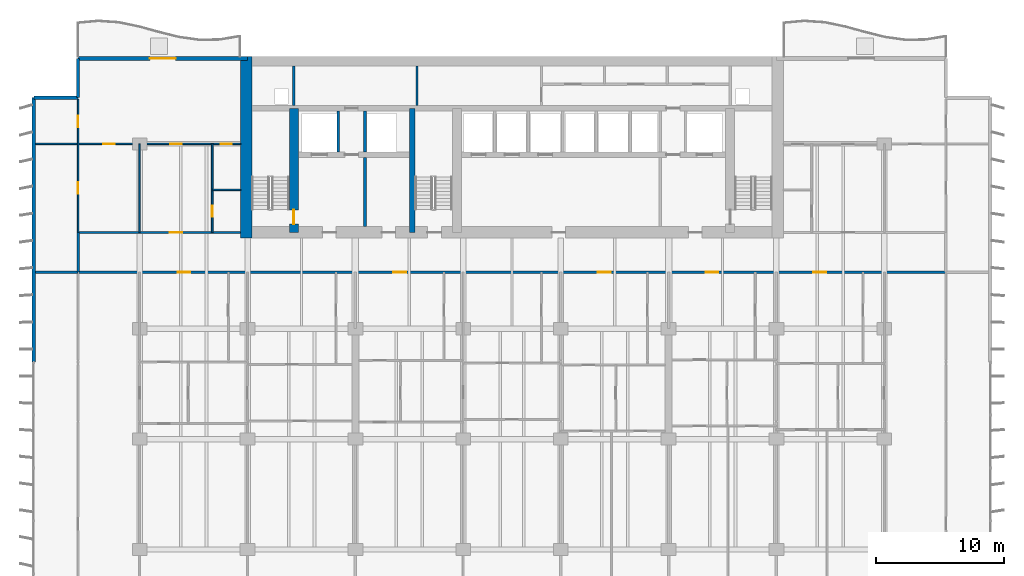
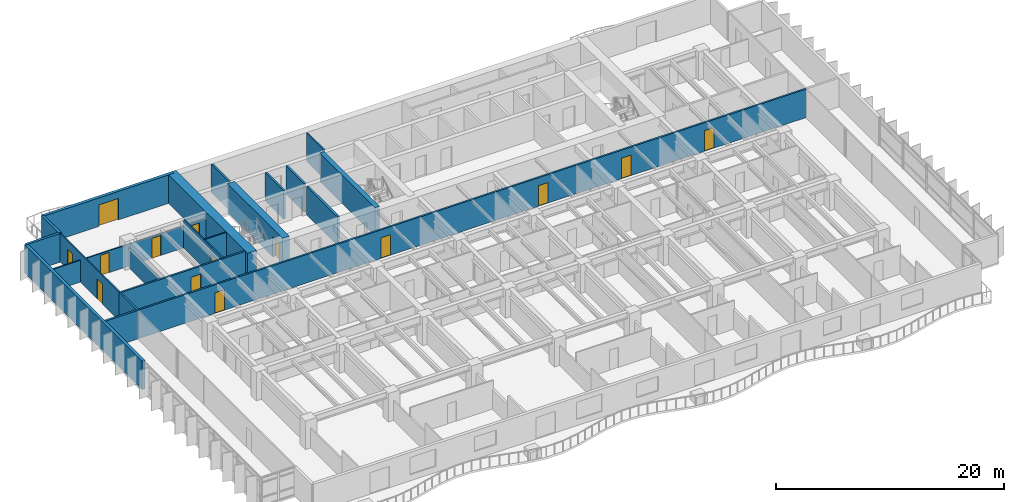
# One storey, part 10 of 17: 21 walls, 14 doors, 14 openings.
"""IFC4 building model written with IfcOpenShell, lengths in metres."""

from ifc_helpers import new_model, si_unit, direction, frame, frame_2d, origin, place, context, subcontext, project, spatial, rectangle, extrude, material, layer, layer_set, type_object, element, fill, save


model = new_model("IFC4")

# Units and contexts
model_context = context("Model", 3, precision=1e-05, world=origin(), true_north=direction((0.0, 1.0)))
body_context = subcontext(model_context, "Body", "Model", "MODEL_VIEW")
ifc_project = project(units=[si_unit("LENGTHUNIT", "METRE"), si_unit("AREAUNIT", "SQUARE_METRE"), si_unit("VOLUMEUNIT", "CUBIC_METRE"), si_unit("PLANEANGLEUNIT", "RADIAN"), si_unit("MASSUNIT", "GRAM", prefix="KILO")], contexts=[model_context])

# Site, building, storey
site_placement = place(None, origin())
site = spatial("IfcSite", under=ifc_project, at=site_placement, CompositionType="ELEMENT")
building_placement = place(site_placement, origin())
building = spatial("IfcBuilding", under=site, at=building_placement, Name="Caelmar Bay Residences", CompositionType="ELEMENT")
storey_placement = place(building_placement, frame((0.0, 0.0, 59.699951171875)))
storey = spatial("IfcBuildingStorey", under=building, at=storey_placement, Name="L15", CompositionType="ELEMENT", Elevation=59.699951171875)

# Wall, opening, door
ifc_material_1 = material(Name="Concrete f'c 55 MPa (8,000 psi)", Category="concrete")
ifc_layer_1 = layer(ifc_material_1, 0.699951171875)
ifc_layer_set_1 = layer_set([ifc_layer_1], Name="Concrete f'c 55 MPa (8,000 psi)")
wall_type_1 = type_object("IfcWallType", Name="SW-COR-700", PredefinedType="SHEAR", material=ifc_layer_set_1)
wall_1_placement = place(storey_placement, frame((21.89990234375, 36.89990234375, 0.0), z_axis=(0.0, 0.0, 1.0), x_axis=(0.0, 1.0, 0.0)))
wall_1 = element("IfcWall", 1, at=wall_1_placement, inside=storey, type_object=wall_type_1, Name="L15 Core Structural Web Wall ST1E", PredefinedType="SHEAR", context=body_context, shape_type="SweptSolid", body=[
    extrude(rectangle(XDim=9.675048828125, YDim=0.699951171875, at=frame_2d((4.83740234375, 0.0))), origin(), (0.0, 0.0, 1.0), 3.050048828125),
])
opening_1_placement = place(wall_1_placement, frame((0.64990234375, 0.0, 0.0)))
opening_1 = element("IfcOpeningElement", 2, at=opening_1_placement, cuts=wall_1, Name="Opening D-L15-108", PredefinedType="OPENING", context=body_context, shape_type="SweptSolid", body=[
    extrude(rectangle(XDim=1.10009765625, YDim=2.14990234375, at=frame_2d((0.550048828125, 1.074951171875))), frame((0.0, 0.35986328125, 0.0), z_axis=(0.0, -1.0, 0.0), x_axis=(1.0, 0.0, 0.0)), (0.0, 0.0, 1.0), 0.719970703125),
])
ifc_material_2 = material(Name="Fire-rated steel and walnut architectural door assembly", Category="steel")
ifc_layer_2 = layer(ifc_material_2, 0.050048828125)
ifc_layer_set_2 = layer_set([ifc_layer_2], Name="Fire-rated steel and walnut architectural door assembly")
door_type_1 = type_object("IfcDoorType", Name="D-STAIR-1100", OperationType="NOTDEFINED", PredefinedType="DOOR", material=ifc_layer_set_2)
door_1_placement = place(opening_1_placement, origin())
door_1 = element("IfcDoor", 3, at=door_1_placement, inside=storey, type_object=door_type_1, Name="L15 Firefighting Lobby West Door", OperationType="SINGLE_SWING_LEFT", OverallHeight=2.14990234375, OverallWidth=1.10009765625, PredefinedType="DOOR", context=body_context, shape_type="SweptSolid", body=[
    extrude(rectangle(XDim=1.10009765625, YDim=2.14990234375, at=frame_2d((0.550048828125, 1.074951171875))), frame((0.0, 0.02490234375, 0.0), z_axis=(0.0, -1.0, 0.0), x_axis=(1.0, 0.0, 0.0)), (0.0, 0.0, 1.0), 0.050048828125),
])
fill(opening_1, door_1)

# Walls
ifc_material_3 = material(Name="Concrete f'c 70 MPa (10,000 psi)", Category="concrete")
ifc_layer_3 = layer(ifc_material_3, 0.89990234375)
ifc_layer_set_3 = layer_set([ifc_layer_3], Name="Concrete f'c 70 MPa (10,000 psi)")
wall_type_2 = type_object("IfcWallType", Name="SW-COR-900", PredefinedType="SHEAR", material=ifc_layer_set_3)
wall_2_placement = place(storey_placement, frame((18.199951171875, 36.449951171875, 0.0), z_axis=(0.0, 0.0, 1.0), x_axis=(0.0, 1.0, 0.0)))
element("IfcWall", 4, at=wall_2_placement, inside=storey, type_object=wall_type_2, Name="L15 Rear Core West Shear Wall", PredefinedType="SHEAR", context=body_context, shape_type="SweptSolid", body=[
    extrude(rectangle(XDim=14.150146484375, YDim=0.89990234375, at=frame_2d((7.0751953125, 0.0))), origin(), (0.0, 0.0, 1.0), 3.050048828125),
])
ifc_layer_4 = layer(ifc_material_3, 0.449951171875)
ifc_layer_set_4 = layer_set([ifc_layer_4], Name="Concrete f'c 70 MPa (10,000 psi)")
wall_type_3 = type_object("IfcWallType", Name="SW-WEB-450", PredefinedType="SHEAR", material=ifc_layer_set_4)
wall_3_placement = place(storey_placement, frame((31.125, 36.89990234375, 0.0), z_axis=(0.0, 0.0, 1.0), x_axis=(0.0, 1.0, 0.0)))
element("IfcWall", 5, at=wall_3_placement, inside=storey, type_object=wall_type_3, Name="L15 Core Structural Web Wall ST3W", PredefinedType="SHEAR", context=body_context, shape_type="SweptSolid", body=[
    extrude(rectangle(XDim=9.675048828125, YDim=0.449951171875, at=frame_2d((4.83740234375, 0.0))), origin(), (0.0, 0.0, 1.0), 3.050048828125),
])
ifc_material_4 = material(Name="Double-stud acoustic fire-rated gypsum partition 180 mm")
ifc_layer_5 = layer(ifc_material_4, 0.179931640625)
ifc_layer_set_5 = layer_set([ifc_layer_5], Name="Double-stud acoustic fire-rated gypsum partition 180 mm")
wall_type_4 = type_object("IfcWallType", Name="W-COR-200", PredefinedType="PARTITIONING", material=ifc_layer_set_5)
wall_4_placement = place(storey_placement, frame((5.10009765625, 33.804931640625, 0.0), z_axis=(0.0, 0.0, 1.0), x_axis=(0.0, 1.0, 0.0)))
element("IfcWall", 6, at=wall_4_placement, inside=storey, type_object=wall_type_4, Name="L15 Partition Wall V005", PredefinedType="PARTITIONING", context=body_context, shape_type="SweptSolid", body=[
    extrude(rectangle(XDim=3.094970703125, YDim=0.179931640625, at=frame_2d((1.54736328125, 0.0))), origin(), (0.0, 0.0, 1.0), 3.050048828125),
])

# Wall, openings, doors
wall_5_placement = place(storey_placement, frame((5.10498046875, 33.800048828125, 0.0), z_axis=(0.0, 0.0, 1.0), x_axis=(1.0, 0.0, 0.0)))
wall_5 = element("IfcWall", 7, at=wall_5_placement, inside=storey, type_object=wall_type_4, Name="L15 Partition Wall H120", PredefinedType="PARTITIONING", context=body_context, shape_type="SweptSolid", body=[
    extrude(rectangle(XDim=67.594970703125, YDim=0.179931640625, at=frame_2d((33.79736328125, 0.0))), origin(), (0.0, 0.0, 1.0), 3.050048828125),
])
opening_2_placement = place(wall_5_placement, frame((7.7451171875, 0.0, 0.0)))
opening_2 = element("IfcOpeningElement", 8, at=opening_2_placement, cuts=wall_5, Name="Opening D-L15-121", PredefinedType="OPENING", context=body_context, shape_type="SweptSolid", body=[
    extrude(rectangle(XDim=1.0, YDim=2.199951171875, at=frame_2d((0.5, 1.10009765625))), frame((0.0, 0.099853515625, 0.0), z_axis=(0.0, -1.0, 0.0), x_axis=(1.0, 0.0, 0.0)), (0.0, 0.0, 1.0), 0.199951171875),
])
opening_3_placement = place(wall_5_placement, frame((24.544921875, 0.0, 0.0)))
opening_3 = element("IfcOpeningElement", 9, at=opening_3_placement, cuts=wall_5, Name="Opening D-L15-132", PredefinedType="OPENING", context=body_context, shape_type="SweptSolid", body=[
    extrude(rectangle(XDim=1.0, YDim=2.199951171875, at=frame_2d((0.5, 1.10009765625))), frame((0.0, 0.099853515625, 0.0), z_axis=(0.0, -1.0, 0.0), x_axis=(1.0, 0.0, 0.0)), (0.0, 0.0, 1.0), 0.199951171875),
])
opening_4_placement = place(wall_5_placement, frame((40.469970703125, 0.0, 0.0)))
opening_4 = element("IfcOpeningElement", 10, at=opening_4_placement, cuts=wall_5, Name="Opening D-L15-142", PredefinedType="OPENING", context=body_context, shape_type="SweptSolid", body=[
    extrude(rectangle(XDim=1.0, YDim=2.199951171875, at=frame_2d((0.5, 1.10009765625))), frame((0.0, 0.099853515625, 0.0), z_axis=(0.0, -1.0, 0.0), x_axis=(1.0, 0.0, 0.0)), (0.0, 0.0, 1.0), 0.199951171875),
])
opening_5_placement = place(wall_5_placement, frame((48.8701171875, 0.0, 0.0)))
opening_5 = element("IfcOpeningElement", 11, at=opening_5_placement, cuts=wall_5, Name="Opening D-L15-149", PredefinedType="OPENING", context=body_context, shape_type="SweptSolid", body=[
    extrude(rectangle(XDim=1.0, YDim=2.199951171875, at=frame_2d((0.5, 1.10009765625))), frame((0.0, 0.099853515625, 0.0), z_axis=(0.0, -1.0, 0.0), x_axis=(1.0, 0.0, 0.0)), (0.0, 0.0, 1.0), 0.199951171875),
])
opening_6_placement = place(wall_5_placement, frame((57.27001953125, 0.0, 0.0)))
opening_6 = element("IfcOpeningElement", 12, at=opening_6_placement, cuts=wall_5, Name="Opening D-L15-156", PredefinedType="OPENING", context=body_context, shape_type="SweptSolid", body=[
    extrude(rectangle(XDim=1.0, YDim=2.199951171875, at=frame_2d((0.5, 1.10009765625))), frame((0.0, 0.099853515625, 0.0), z_axis=(0.0, -1.0, 0.0), x_axis=(1.0, 0.0, 0.0)), (0.0, 0.0, 1.0), 0.199951171875),
])
ifc_layer_6 = layer(ifc_material_2, 0.050048828125)
ifc_layer_set_6 = layer_set([ifc_layer_6], Name="Fire-rated steel and walnut architectural door assembly")
door_type_2 = type_object("IfcDoorType", Name="D-UNIT-1000", OperationType="NOTDEFINED", PredefinedType="DOOR", material=ifc_layer_set_6)
door_2_placement = place(opening_2_placement, origin())
door_2 = element("IfcDoor", 13, at=door_2_placement, inside=storey, type_object=door_type_2, Name="L15 Residence 01 Apartment Hall Door", OperationType="SINGLE_SWING_RIGHT", OverallHeight=2.199951171875, OverallWidth=1.0, PredefinedType="DOOR", context=body_context, shape_type="SweptSolid", body=[
    extrude(rectangle(XDim=1.0, YDim=2.199951171875, at=frame_2d((0.5, 1.10009765625))), frame((0.0, 0.02490234375, 0.0), z_axis=(0.0, -1.0, 0.0), x_axis=(1.0, 0.0, 0.0)), (0.0, 0.0, 1.0), 0.050048828125),
])
fill(opening_2, door_2)
door_3_placement = place(opening_3_placement, origin())
door_3 = element("IfcDoor", 14, at=door_3_placement, inside=storey, type_object=door_type_2, Name="L15 Residence 02 Apartment Hall Door", OperationType="SINGLE_SWING_LEFT", OverallHeight=2.199951171875, OverallWidth=1.0, PredefinedType="DOOR", context=body_context, shape_type="SweptSolid", body=[
    extrude(rectangle(XDim=1.0, YDim=2.199951171875, at=frame_2d((0.5, 1.10009765625))), frame((0.0, 0.02490234375, 0.0), z_axis=(0.0, -1.0, 0.0), x_axis=(1.0, 0.0, 0.0)), (0.0, 0.0, 1.0), 0.050048828125),
])
fill(opening_3, door_3)
door_4_placement = place(opening_4_placement, origin())
door_4 = element("IfcDoor", 15, at=door_4_placement, inside=storey, type_object=door_type_2, Name="L15 Residence 03 Apartment Hall Door", OperationType="SINGLE_SWING_LEFT", OverallHeight=2.199951171875, OverallWidth=1.0, PredefinedType="DOOR", context=body_context, shape_type="SweptSolid", body=[
    extrude(rectangle(XDim=1.0, YDim=2.199951171875, at=frame_2d((0.5, 1.10009765625))), frame((0.0, 0.02490234375, 0.0), z_axis=(0.0, -1.0, 0.0), x_axis=(1.0, 0.0, 0.0)), (0.0, 0.0, 1.0), 0.050048828125),
])
fill(opening_4, door_4)
door_5_placement = place(opening_5_placement, origin())
door_5 = element("IfcDoor", 16, at=door_5_placement, inside=storey, type_object=door_type_2, Name="L15 Residence 04 Apartment Hall Door", OperationType="SINGLE_SWING_RIGHT", OverallHeight=2.199951171875, OverallWidth=1.0, PredefinedType="DOOR", context=body_context, shape_type="SweptSolid", body=[
    extrude(rectangle(XDim=1.0, YDim=2.199951171875, at=frame_2d((0.5, 1.10009765625))), frame((0.0, 0.02490234375, 0.0), z_axis=(0.0, -1.0, 0.0), x_axis=(1.0, 0.0, 0.0)), (0.0, 0.0, 1.0), 0.050048828125),
])
fill(opening_5, door_5)
door_6_placement = place(opening_6_placement, origin())
door_6 = element("IfcDoor", 17, at=door_6_placement, inside=storey, type_object=door_type_2, Name="L15 Residence 05 Apartment Hall Door", OperationType="SINGLE_SWING_LEFT", OverallHeight=2.199951171875, OverallWidth=1.0, PredefinedType="DOOR", context=body_context, shape_type="SweptSolid", body=[
    extrude(rectangle(XDim=1.0, YDim=2.199951171875, at=frame_2d((0.5, 1.10009765625))), frame((0.0, 0.02490234375, 0.0), z_axis=(0.0, -1.0, 0.0), x_axis=(1.0, 0.0, 0.0)), (0.0, 0.0, 1.0), 0.050048828125),
])
fill(opening_6, door_6)

# Wall, opening, door
wall_6_placement = place(storey_placement, frame((5.10009765625, 36.89990234375, 0.0), z_axis=(0.0, 0.0, 1.0), x_axis=(1.0, 0.0, 0.0)))
wall_6 = element("IfcWall", 18, at=wall_6_placement, inside=storey, type_object=wall_type_4, Name="L15 Partition Wall H122", PredefinedType="PARTITIONING", context=body_context, shape_type="SweptSolid", body=[
    extrude(rectangle(XDim=12.64501953125, YDim=0.179931640625, at=frame_2d((6.322509765625, 0.0))), origin(), (0.0, 0.0, 1.0), 3.050048828125),
])
opening_7_placement = place(wall_6_placement, frame((7.125, 0.0, 0.0)))
opening_7 = element("IfcOpeningElement", 19, at=opening_7_placement, cuts=wall_6, Name="Opening D-L15-167", PredefinedType="OPENING", context=body_context, shape_type="SweptSolid", body=[
    extrude(rectangle(XDim=1.0, YDim=2.199951171875, at=frame_2d((0.5, 1.10009765625))), frame((0.0, 0.099853515625, 0.0), z_axis=(0.0, -1.0, 0.0), x_axis=(1.0, 0.0, 0.0)), (0.0, 0.0, 1.0), 0.199951171875),
])
door_7_placement = place(opening_7_placement, origin())
door_7 = element("IfcDoor", 20, at=door_7_placement, inside=storey, type_object=door_type_2, Name="L15 Residence WA Kitchen Door", OperationType="SINGLE_SWING_RIGHT", OverallHeight=2.199951171875, OverallWidth=1.0, PredefinedType="DOOR", context=body_context, shape_type="SweptSolid", body=[
    extrude(rectangle(XDim=1.0, YDim=2.199951171875, at=frame_2d((0.5, 1.10009765625))), frame((0.0, 0.02490234375, 0.0), z_axis=(0.0, -1.0, 0.0), x_axis=(1.0, 0.0, 0.0)), (0.0, 0.0, 1.0), 0.050048828125),
])
fill(opening_7, door_7)

# Walls
ifc_material_5 = material(Name="Precast concrete f'c 40 MPa (6,000 psi)", Category="concrete")
ifc_layer_7 = layer(ifc_material_5, 0.25)
ifc_layer_set_7 = layer_set([ifc_layer_7], Name="Precast concrete f'c 40 MPa (6,000 psi)")
wall_type_5 = type_object("IfcWallType", Name="W-EXT-250", PredefinedType="ELEMENTEDWALL", material=ifc_layer_set_7)
wall_7_placement = place(storey_placement, frame((1.64990234375, 47.39990234375, 0.0), z_axis=(0.0, 0.0, 1.0), x_axis=(1.0, 0.0, 0.0)))
element("IfcWall", 21, at=wall_7_placement, inside=storey, type_object=wall_type_5, Name="L15 NNW-H Notch Wall", PredefinedType="ELEMENTEDWALL", context=body_context, shape_type="SweptSolid", body=[
    extrude(rectangle(XDim=3.4501953125, YDim=0.25, at=frame_2d((1.72509765625, 0.0))), origin(), (0.0, 0.0, 1.0), 3.050048828125),
])
wall_8_placement = place(storey_placement, frame((5.10009765625, 47.39990234375, 0.0), z_axis=(0.0, 0.0, 1.0), x_axis=(0.0, 1.0, 0.0)))
element("IfcWall", 22, at=wall_8_placement, inside=storey, type_object=wall_type_5, Name="L15 NNW-V Notch Wall", PredefinedType="ELEMENTEDWALL", context=body_context, shape_type="SweptSolid", body=[
    extrude(rectangle(XDim=3.050048828125, YDim=0.25, at=frame_2d((1.52490234375, 0.0))), origin(), (0.0, 0.0, 1.0), 3.050048828125),
])
ifc_layer_8 = layer(ifc_material_5, 0.300048828125)
ifc_layer_set_8 = layer_set([ifc_layer_8], Name="Precast concrete f'c 40 MPa (6,000 psi)")
wall_type_6 = type_object("IfcWallType", Name="W-EXT-300", PredefinedType="STANDARD", material=ifc_layer_set_8)
wall_9_placement = place(storey_placement, frame((1.64990234375, 26.800048828125, 0.0), z_axis=(0.0, 0.0, 1.0), x_axis=(0.0, 1.0, 0.0)))
element("IfcWall", 23, at=wall_9_placement, inside=storey, type_object=wall_type_6, Name="L15 West Rear Exterior Wall", PredefinedType="STANDARD", context=body_context, shape_type="SweptSolid", body=[
    extrude(rectangle(XDim=20.599853515625, YDim=0.300048828125, at=frame_2d((10.2998046875, 0.0))), origin(), (0.0, 0.0, 1.0), 3.050048828125),
])

# Wall, opening, door
wall_10_placement = place(storey_placement, frame((5.10009765625, 50.449951171875, 0.0), z_axis=(0.0, 0.0, 1.0), x_axis=(1.0, 0.0, 0.0)))
wall_10 = element("IfcWall", 24, at=wall_10_placement, inside=storey, type_object=wall_type_6, Name="L15 North-West Wing Exterior Wall", PredefinedType="STANDARD", context=body_context, shape_type="SweptSolid", body=[
    extrude(rectangle(XDim=13.199951171875, YDim=0.300048828125, at=frame_2d((6.60009765625, 0.0))), origin(), (0.0, 0.0, 1.0), 3.050048828125),
])
opening_8_placement = place(wall_10_placement, frame((5.60009765625, 0.0, 0.0)))
opening_8 = element("IfcOpeningElement", 25, at=opening_8_placement, cuts=wall_10, Name="Opening L15-BDNW", PredefinedType="OPENING", context=body_context, shape_type="SweptSolid", body=[
    extrude(rectangle(XDim=2.0, YDim=2.300048828125, at=frame_2d((1.0, 1.14990234375))), frame((0.0, 0.159912109375, 0.0), z_axis=(0.0, -1.0, 0.0), x_axis=(1.0, 0.0, 0.0)), (0.0, 0.0, 1.0), 0.320068359375),
])
ifc_material_6 = material(Name="Anodised bronze thermally broken sliding glass door", Category="glass")
ifc_layer_9 = layer(ifc_material_6, 0.050048828125)
ifc_layer_set_9 = layer_set([ifc_layer_9], Name="Anodised bronze thermally broken sliding glass door")
door_type_3 = type_object("IfcDoorType", Name="D-BAL-2000", OperationType="DOUBLE_DOOR_SLIDING", PredefinedType="DOOR", material=ifc_layer_set_9)
door_8_placement = place(opening_8_placement, origin())
door_8 = element("IfcDoor", 26, at=door_8_placement, inside=storey, type_object=door_type_3, Name="L15 North-West Balcony Door", OperationType="DOUBLE_DOOR_SLIDING", OverallHeight=2.300048828125, OverallWidth=2.0, PredefinedType="DOOR", context=body_context, shape_type="SweptSolid", body=[
    extrude(rectangle(XDim=2.0, YDim=2.300048828125, at=frame_2d((1.0, 1.14990234375))), frame((0.0, 0.02490234375, 0.0), z_axis=(0.0, -1.0, 0.0), x_axis=(1.0, 0.0, 0.0)), (0.0, 0.0, 1.0), 0.050048828125),
])
fill(opening_8, door_8)

# Walls
ifc_material_7 = material(Name="Fire-rated masonry and gypsum shaftliner assembly 200 mm", Category="masonry")
ifc_layer_10 = layer(ifc_material_7, 0.199951171875)
ifc_layer_set_10 = layer_set([ifc_layer_10], Name="Fire-rated masonry and gypsum shaftliner assembly 200 mm")
wall_type_7 = type_object("IfcWallType", Name="W-FSAE-200", PredefinedType="PARTITIONING", material=ifc_layer_set_10)
wall_11_placement = place(storey_placement, frame((21.89990234375, 46.794921875, 0.0), z_axis=(0.0, 0.0, 1.0), x_axis=(0.0, 1.0, 0.0)))
element("IfcWall", 27, at=wall_11_placement, inside=storey, type_object=wall_type_7, Name="L15 Partition Wall V024", PredefinedType="PARTITIONING", context=body_context, shape_type="SweptSolid", body=[
    extrude(rectangle(XDim=3.06005859375, YDim=0.199951171875, at=frame_2d((1.530029296875, 0.0))), origin(), (0.0, 0.0, 1.0), 3.050048828125),
])
wall_12_placement = place(storey_placement, frame((25.35009765625, 43.169921875, 0.0), z_axis=(0.0, 0.0, 1.0), x_axis=(0.0, 1.0, 0.0)))
element("IfcWall", 28, at=wall_12_placement, inside=storey, type_object=wall_type_7, Name="L15 Partition Wall V027", PredefinedType="PARTITIONING", context=body_context, shape_type="SweptSolid", body=[
    extrude(rectangle(XDim=3.18505859375, YDim=0.199951171875, at=frame_2d((1.592529296875, 0.0))), origin(), (0.0, 0.0, 1.0), 3.050048828125),
])
wall_13_placement = place(storey_placement, frame((27.449951171875, 37.344970703125, 0.0), z_axis=(0.0, 0.0, 1.0), x_axis=(0.0, 1.0, 0.0)))
element("IfcWall", 29, at=wall_13_placement, inside=storey, type_object=wall_type_7, Name="L15 Partition Wall V031", PredefinedType="PARTITIONING", context=body_context, shape_type="SweptSolid", body=[
    extrude(rectangle(XDim=5.385009765625, YDim=0.199951171875, at=frame_2d((2.6923828125, 0.0))), origin(), (0.0, 0.0, 1.0), 3.050048828125),
])
wall_14_placement = place(storey_placement, frame((27.449951171875, 43.169921875, 0.0), z_axis=(0.0, 0.0, 1.0), x_axis=(0.0, 1.0, 0.0)))
element("IfcWall", 30, at=wall_14_placement, inside=storey, type_object=wall_type_7, Name="L15 Partition Wall V032", PredefinedType="PARTITIONING", context=body_context, shape_type="SweptSolid", body=[
    extrude(rectangle(XDim=3.18505859375, YDim=0.199951171875, at=frame_2d((1.592529296875, 0.0))), origin(), (0.0, 0.0, 1.0), 3.050048828125),
])

# Wall, openings, doors
ifc_material_8 = material(Name="Acoustic metal-stud gypsum partition 120 mm")
ifc_layer_11 = layer(ifc_material_8, 0.1201171875)
ifc_layer_set_11 = layer_set([ifc_layer_11], Name="Acoustic metal-stud gypsum partition 120 mm")
wall_type_8 = type_object("IfcWallType", Name="W-PRT-120", PredefinedType="PARTITIONING", material=ifc_layer_set_11)
wall_15_placement = place(storey_placement, frame((5.10009765625, 36.905029296875, 0.0), z_axis=(0.0, 0.0, 1.0), x_axis=(0.0, 1.0, 0.0)))
wall_15 = element("IfcWall", 31, at=wall_15_placement, inside=storey, type_object=wall_type_8, Name="L15 Partition Wall V006", PredefinedType="PARTITIONING", context=body_context, shape_type="SweptSolid", body=[
    extrude(rectangle(XDim=10.375, YDim=0.1201171875, at=frame_2d((5.1875, 0.0))), origin(), (0.0, 0.0, 1.0), 3.050048828125),
])
opening_9_placement = place(wall_15_placement, frame((2.99755859375, 0.0, 0.0)))
opening_9 = element("IfcOpeningElement", 32, at=opening_9_placement, cuts=wall_15, Name="Opening D-L15-171", PredefinedType="OPENING", context=body_context, shape_type="SweptSolid", body=[
    extrude(rectangle(XDim=0.89990234375, YDim=2.14990234375, at=frame_2d((0.449951171875, 1.074951171875))), frame((0.0, 0.070068359375, 0.0), z_axis=(0.0, -1.0, 0.0), x_axis=(1.0, 0.0, 0.0)), (0.0, 0.0, 1.0), 0.14013671875),
])
opening_10_placement = place(wall_15_placement, frame((8.18505859375, 0.0, 0.0)))
opening_10 = element("IfcOpeningElement", 33, at=opening_10_placement, cuts=wall_15, Name="Opening D-L15-172", PredefinedType="OPENING", context=body_context, shape_type="SweptSolid", body=[
    extrude(rectangle(XDim=0.89990234375, YDim=2.14990234375, at=frame_2d((0.449951171875, 1.074951171875))), frame((0.0, 0.070068359375, 0.0), z_axis=(0.0, -1.0, 0.0), x_axis=(1.0, 0.0, 0.0)), (0.0, 0.0, 1.0), 0.14013671875),
])
ifc_material_9 = material(Name="Solid walnut timber interior door leaf and frame", Category="wood")
ifc_layer_12 = layer(ifc_material_9, 0.050048828125)
ifc_layer_set_12 = layer_set([ifc_layer_12], Name="Solid walnut timber interior door leaf and frame")
door_type_4 = type_object("IfcDoorType", Name="D-ROOM-900", OperationType="NOTDEFINED", PredefinedType="DOOR", material=ifc_layer_set_12)
door_9_placement = place(opening_9_placement, origin())
door_9 = element("IfcDoor", 34, at=door_9_placement, inside=storey, type_object=door_type_4, Name="L15 Residence WA Sun Study Door", OperationType="SINGLE_SWING_RIGHT", OverallHeight=2.14990234375, OverallWidth=0.89990234375, PredefinedType="DOOR", context=body_context, shape_type="SweptSolid", body=[
    extrude(rectangle(XDim=0.89990234375, YDim=2.14990234375, at=frame_2d((0.449951171875, 1.074951171875))), frame((0.0, 0.02490234375, 0.0), z_axis=(0.0, -1.0, 0.0), x_axis=(1.0, 0.0, 0.0)), (0.0, 0.0, 1.0), 0.050048828125),
])
fill(opening_9, door_9)
door_10_placement = place(opening_10_placement, origin())
door_10 = element("IfcDoor", 35, at=door_10_placement, inside=storey, type_object=door_type_4, Name="L15 Residence WA North Sitting Alcove Door", OperationType="SINGLE_SWING_LEFT", OverallHeight=2.14990234375, OverallWidth=0.89990234375, PredefinedType="DOOR", context=body_context, shape_type="SweptSolid", body=[
    extrude(rectangle(XDim=0.89990234375, YDim=2.14990234375, at=frame_2d((0.449951171875, 1.074951171875))), frame((0.0, 0.02490234375, 0.0), z_axis=(0.0, -1.0, 0.0), x_axis=(1.0, 0.0, 0.0)), (0.0, 0.0, 1.0), 0.050048828125),
])
fill(opening_10, door_10)

# Wall
wall_16_placement = place(storey_placement, frame((9.89990234375, 36.89990234375, 0.0), z_axis=(0.0, 0.0, 1.0), x_axis=(0.0, 1.0, 0.0)))
element("IfcWall", 36, at=wall_16_placement, inside=storey, type_object=wall_type_8, Name="L15 Partition Wall V012", PredefinedType="PARTITIONING", context=body_context, shape_type="SweptSolid", body=[
    extrude(rectangle(XDim=6.900146484375, YDim=0.1201171875, at=frame_2d((3.4501953125, 0.0))), origin(), (0.0, 0.0, 1.0), 2.110107421875),
])

# Wall, opening, door
wall_17_placement = place(storey_placement, frame((15.550048828125, 36.89990234375, 0.0), z_axis=(0.0, 0.0, 1.0), x_axis=(0.0, 1.0, 0.0)))
wall_17 = element("IfcWall", 37, at=wall_17_placement, inside=storey, type_object=wall_type_8, Name="L15 Partition Wall V016", PredefinedType="PARTITIONING", context=body_context, shape_type="SweptSolid", body=[
    extrude(rectangle(XDim=6.900146484375, YDim=0.1201171875, at=frame_2d((3.4501953125, 0.0))), origin(), (0.0, 0.0, 1.0), 3.050048828125),
])
opening_11_placement = place(wall_17_placement, frame((1.23095703125, 0.0, 0.0)))
opening_11 = element("IfcOpeningElement", 38, at=opening_11_placement, cuts=wall_17, Name="Opening D-L15-169", PredefinedType="OPENING", context=body_context, shape_type="SweptSolid", body=[
    extrude(rectangle(XDim=0.85009765625, YDim=2.10009765625, at=frame_2d((0.425048828125, 1.050048828125))), frame((0.0, 0.070068359375, 0.0), z_axis=(0.0, -1.0, 0.0), x_axis=(1.0, 0.0, 0.0)), (0.0, 0.0, 1.0), 0.14013671875),
])
ifc_layer_13 = layer(ifc_material_9, 0.050048828125)
ifc_layer_set_13 = layer_set([ifc_layer_13], Name="Solid walnut timber interior door leaf and frame")
door_type_5 = type_object("IfcDoorType", Name="D-BATH-850", OperationType="NOTDEFINED", PredefinedType="DOOR", material=ifc_layer_set_13)
door_11_placement = place(opening_11_placement, origin())
door_11 = element("IfcDoor", 39, at=door_11_placement, inside=storey, type_object=door_type_5, Name="L15 Residence WA Walk-In Closet Door", OperationType="SINGLE_SWING_RIGHT", OverallHeight=2.10009765625, OverallWidth=0.85009765625, PredefinedType="DOOR", context=body_context, shape_type="SweptSolid", body=[
    extrude(rectangle(XDim=0.85009765625, YDim=2.10009765625, at=frame_2d((0.425048828125, 1.050048828125))), frame((0.0, 0.02490234375, 0.0), z_axis=(0.0, -1.0, 0.0), x_axis=(1.0, 0.0, 0.0)), (0.0, 0.0, 1.0), 0.050048828125),
])
fill(opening_11, door_11)

# Walls
wall_18_placement = place(storey_placement, frame((31.5, 46.794921875, 0.0), z_axis=(0.0, 0.0, 1.0), x_axis=(0.0, 1.0, 0.0)))
element("IfcWall", 40, at=wall_18_placement, inside=storey, type_object=wall_type_8, Name="L15 Partition Wall V035", PredefinedType="PARTITIONING", context=body_context, shape_type="SweptSolid", body=[
    extrude(rectangle(XDim=3.06005859375, YDim=0.1201171875, at=frame_2d((1.530029296875, 0.0))), origin(), (0.0, 0.0, 1.0), 3.050048828125),
])
wall_19_placement = place(storey_placement, frame((15.550048828125, 40.2119140625, 0.0), z_axis=(0.0, 0.0, 1.0), x_axis=(1.0, 0.0, 0.0)))
element("IfcWall", 41, at=wall_19_placement, inside=storey, type_object=wall_type_8, Name="L15 Partition Wall H124", PredefinedType="PARTITIONING", context=body_context, shape_type="SweptSolid", body=[
    extrude(rectangle(XDim=2.204833984375, YDim=0.1201171875, at=frame_2d((1.1025390625, 0.0))), origin(), (0.0, 0.0, 1.0), 3.050048828125),
])

# Wall, openings, doors
wall_20_placement = place(storey_placement, frame((1.794921875, 43.800048828125, 0.0), z_axis=(0.0, 0.0, 1.0), x_axis=(1.0, 0.0, 0.0)))
wall_20 = element("IfcWall", 42, at=wall_20_placement, inside=storey, type_object=wall_type_8, Name="L15 Partition Wall H126", PredefinedType="PARTITIONING", context=body_context, shape_type="SweptSolid", body=[
    extrude(rectangle(XDim=15.9599609375, YDim=0.1201171875, at=frame_2d((7.97998046875, 0.0))), origin(), (0.0, 0.0, 1.0), 2.339111328125),
])
opening_12_placement = place(wall_20_placement, frame((5.2548828125, 0.0, 0.0)))
opening_12 = element("IfcOpeningElement", 43, at=opening_12_placement, cuts=wall_20, Name="Opening D-L15-166", PredefinedType="OPENING", context=body_context, shape_type="SweptSolid", body=[
    extrude(rectangle(XDim=0.89990234375, YDim=2.14990234375, at=frame_2d((0.449951171875, 1.074951171875))), frame((0.0, 0.070068359375, 0.0), z_axis=(0.0, -1.0, 0.0), x_axis=(1.0, 0.0, 0.0)), (0.0, 0.0, 1.0), 0.14013671875),
])
opening_13_placement = place(wall_20_placement, frame((10.47998046875, 0.0, 0.0)))
opening_13 = element("IfcOpeningElement", 44, at=opening_13_placement, cuts=wall_20, Name="Opening D-L15-168", PredefinedType="OPENING", context=body_context, shape_type="SweptSolid", body=[
    extrude(rectangle(XDim=0.89990234375, YDim=2.14990234375, at=frame_2d((0.449951171875, 1.074951171875))), frame((0.0, 0.070068359375, 0.0), z_axis=(0.0, -1.0, 0.0), x_axis=(1.0, 0.0, 0.0)), (0.0, 0.0, 1.0), 0.14013671875),
])
opening_14_placement = place(wall_20_placement, frame((14.4326171875, 0.0, 0.0)))
opening_14 = element("IfcOpeningElement", 45, at=opening_14_placement, cuts=wall_20, Name="Opening D-L15-170", PredefinedType="OPENING", context=body_context, shape_type="SweptSolid", body=[
    extrude(rectangle(XDim=0.85009765625, YDim=2.10009765625, at=frame_2d((0.425048828125, 1.050048828125))), frame((0.0, 0.070068359375, 0.0), z_axis=(0.0, -1.0, 0.0), x_axis=(1.0, 0.0, 0.0)), (0.0, 0.0, 1.0), 0.14013671875),
])
door_12_placement = place(opening_14_placement, origin())
door_12 = element("IfcDoor", 46, at=door_12_placement, inside=storey, type_object=door_type_5, Name="L15 Residence WA Bathroom Door", OperationType="SINGLE_SWING_LEFT", OverallHeight=2.10009765625, OverallWidth=0.85009765625, PredefinedType="DOOR", context=body_context, shape_type="SweptSolid", body=[
    extrude(rectangle(XDim=0.85009765625, YDim=2.10009765625, at=frame_2d((0.425048828125, 1.050048828125))), frame((0.0, 0.02490234375, 0.0), z_axis=(0.0, -1.0, 0.0), x_axis=(1.0, 0.0, 0.0)), (0.0, 0.0, 1.0), 0.050048828125),
])
fill(opening_14, door_12)
door_13_placement = place(opening_12_placement, origin())
door_13 = element("IfcDoor", 47, at=door_13_placement, inside=storey, type_object=door_type_4, Name="L15 Residence WA Study Door", OperationType="SINGLE_SWING_LEFT", OverallHeight=2.14990234375, OverallWidth=0.89990234375, PredefinedType="DOOR", context=body_context, shape_type="SweptSolid", body=[
    extrude(rectangle(XDim=0.89990234375, YDim=2.14990234375, at=frame_2d((0.449951171875, 1.074951171875))), frame((0.0, 0.02490234375, 0.0), z_axis=(0.0, -1.0, 0.0), x_axis=(1.0, 0.0, 0.0)), (0.0, 0.0, 1.0), 0.050048828125),
])
fill(opening_12, door_13)
door_14_placement = place(opening_13_placement, origin())
door_14 = element("IfcDoor", 48, at=door_14_placement, inside=storey, type_object=door_type_4, Name="L15 Residence WA Studio Living and Sleeping Room Door", OperationType="SINGLE_SWING_LEFT", OverallHeight=2.14990234375, OverallWidth=0.89990234375, PredefinedType="DOOR", context=body_context, shape_type="SweptSolid", body=[
    extrude(rectangle(XDim=0.89990234375, YDim=2.14990234375, at=frame_2d((0.449951171875, 1.074951171875))), frame((0.0, 0.02490234375, 0.0), z_axis=(0.0, -1.0, 0.0), x_axis=(1.0, 0.0, 0.0)), (0.0, 0.0, 1.0), 0.050048828125),
])
fill(opening_13, door_14)

# Wall
ifc_material_10 = material(Name="Acoustic twin-stud fire-rated inter-tenancy partition 200 mm")
ifc_layer_14 = layer(ifc_material_10, 0.199951171875)
ifc_layer_set_14 = layer_set([ifc_layer_14], Name="Acoustic twin-stud fire-rated inter-tenancy partition 200 mm")
wall_type_9 = type_object("IfcWallType", Name="W-PTY-200", PredefinedType="PARTITIONING", material=ifc_layer_set_14)
wall_21_placement = place(storey_placement, frame((1.794921875, 33.800048828125, 0.0), z_axis=(0.0, 0.0, 1.0), x_axis=(1.0, 0.0, 0.0)))
element("IfcWall", 49, at=wall_21_placement, inside=storey, type_object=wall_type_9, Name="L15 Partition Wall H119", PredefinedType="PARTITIONING", context=body_context, shape_type="SweptSolid", body=[
    extrude(rectangle(XDim=3.30517578125, YDim=0.199951171875, at=frame_2d((1.652587890625, 0.0))), origin(), (0.0, 0.0, 1.0), 3.050048828125),
])

save(model, "model.ifc")
